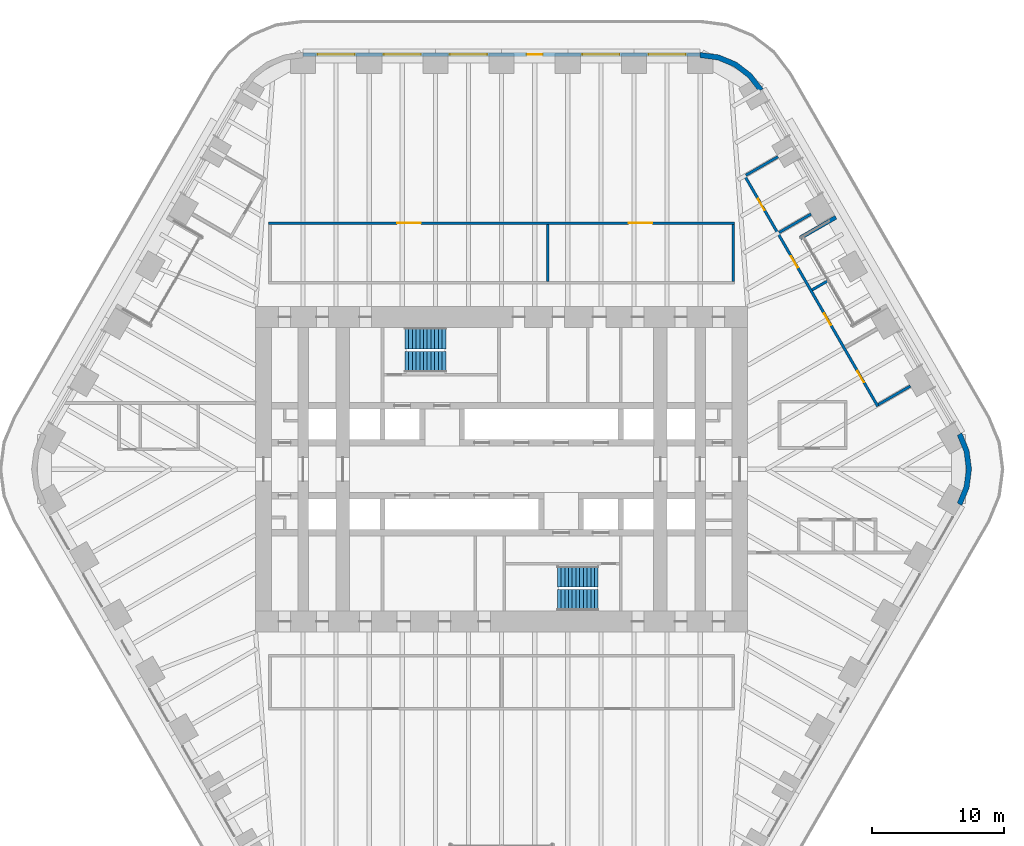
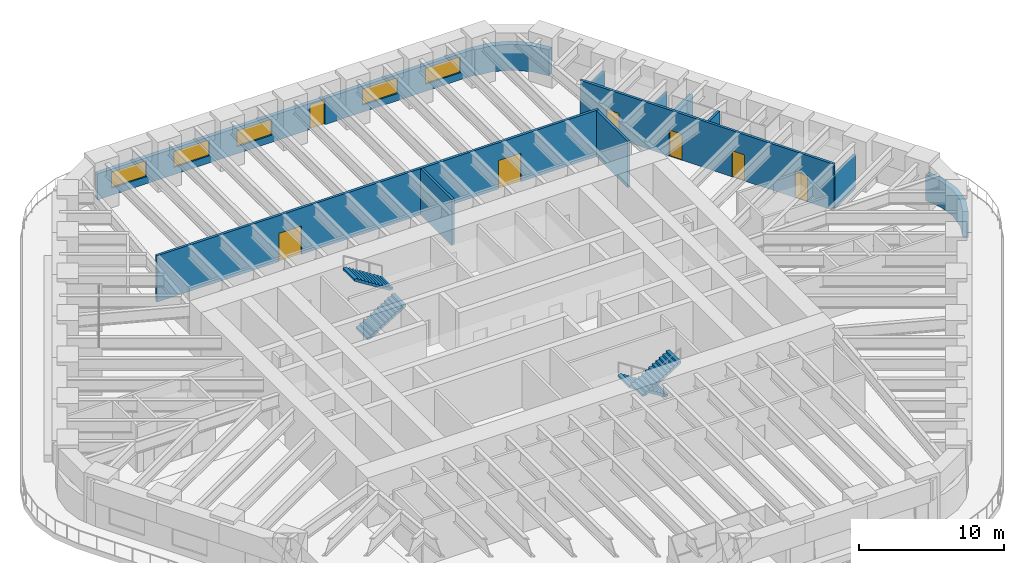
# One storey, part 16 of 19: 12 walls, 7 doors, 5 windows, 4 stair flights, 12 openings, 2 elements without a shape of their own.
"""IFC4 building model written with IfcOpenShell, lengths in metres."""

from ifc_helpers import new_model, si_unit, direction, frame, frame_2d, origin, place, context, subcontext, project, spatial, polyline, rectangle, outline, extrude, material, layer, layer_set, type_object, element, fill, aggregate, save


model = new_model("IFC4")

# Units and contexts
model_context = context("Model", 3, precision=1e-05, world=origin(), true_north=direction((0.0, 1.0)))
body_context = subcontext(model_context, "Body", "Model", "MODEL_VIEW")
ifc_project = project(units=[si_unit("LENGTHUNIT", "METRE"), si_unit("AREAUNIT", "SQUARE_METRE"), si_unit("VOLUMEUNIT", "CUBIC_METRE"), si_unit("PLANEANGLEUNIT", "RADIAN"), si_unit("MASSUNIT", "GRAM", prefix="KILO")], contexts=[model_context])

# Site, building, storey
site_placement = place(None, origin())
site = spatial("IfcSite", under=ifc_project, at=site_placement, CompositionType="ELEMENT")
building_placement = place(site_placement, origin())
building = spatial("IfcBuilding", under=site, at=building_placement, Name="Tarfa Lantern Tower", CompositionType="ELEMENT")
storey_placement = place(building_placement, frame((0.0, 0.0, 199.300048828125)))
storey = spatial("IfcBuildingStorey", under=building, at=storey_placement, Name="L45", CompositionType="ELEMENT", Elevation=199.300048828125)

# Wall
ifc_material_1 = material(Name="Limestone cladding on blockwork", Category="masonry")
ifc_layer_1 = layer(ifc_material_1, 0.300048828125)
ifc_layer_set_1 = layer_set([ifc_layer_1], Name="EW1 STONE-CLAD WALL 300")
wall_type_1 = type_object("IfcWallType", Name="EW1 STONE-CLAD WALL 300", PredefinedType="SOLIDWALL", material=ifc_layer_set_1)
wall_1_placement = place(storey_placement, frame((25.266357421875, 19.037353515625, 0.0), z_axis=(0.0, 0.0, 1.0), x_axis=(-0.86600983753, -0.500026960575, 0.0)))
element("IfcWall", 1, at=wall_1_placement, inside=storey, type_object=wall_type_1, Name="Loggia return NE 2", PredefinedType="SOLIDWALL", context=body_context, shape_type="SweptSolid", body=[
    extrude(rectangle(XDim=3.099853515625, YDim=0.300048828125, at=frame_2d((1.5498046875, 0.0))), origin(), (0.0, 0.0, 1.0), 2.199951171875),
])

# Wall, openings, door, windows
wall_2_placement = place(storey_placement, frame((15.010986328125, 31.35009765625, 0.0), z_axis=(0.0, 0.0, 1.0), x_axis=(-1.0, 0.0, 0.0)))
wall_2 = element("IfcWall", 2, at=wall_2_placement, inside=storey, type_object=wall_type_1, Name="Stone wall N", PredefinedType="SOLIDWALL", context=body_context, shape_type="SweptSolid", body=[
    extrude(rectangle(XDim=30.02197265625, YDim=0.300048828125, at=frame_2d((15.010986328125, 0.0))), origin(), (0.0, 0.0, 1.0), 2.199951171875),
])
opening_1_placement = place(wall_2_placement, frame((1.101806640625, 0.0, 0.60009765625)))
opening_1 = element("IfcOpeningElement", 3, at=opening_1_placement, cuts=wall_2, Name="Opening W10", PredefinedType="OPENING", context=body_context, shape_type="SweptSolid", body=[
    extrude(rectangle(XDim=2.800048828125, YDim=1.35009765625, at=frame_2d((1.39990234375, 0.675048828125))), frame((0.0, 0.159912109375, 0.0), z_axis=(0.0, -1.0, 0.0), x_axis=(1.0, 0.0, 0.0)), (0.0, 0.0, 1.0), 0.320068359375),
])
opening_2_placement = place(wall_2_placement, frame((6.10546875, 0.0, 0.60009765625)))
opening_2 = element("IfcOpeningElement", 4, at=opening_2_placement, cuts=wall_2, Name="Opening W10", PredefinedType="OPENING", context=body_context, shape_type="SweptSolid", body=[
    extrude(rectangle(XDim=2.800048828125, YDim=1.35009765625, at=frame_2d((1.39990234375, 0.675048828125))), frame((0.0, 0.159912109375, 0.0), z_axis=(0.0, -1.0, 0.0), x_axis=(1.0, 0.0, 0.0)), (0.0, 0.0, 1.0), 0.320068359375),
])
opening_3_placement = place(wall_2_placement, frame((11.9091796875, 0.0, 0.0)))
opening_3 = element("IfcOpeningElement", 5, at=opening_3_placement, cuts=wall_2, Name="Opening D49", PredefinedType="OPENING", context=body_context, shape_type="SweptSolid", body=[
    extrude(rectangle(XDim=1.199951171875, YDim=2.10009765625, at=frame_2d((0.60009765625, 1.050048828125))), frame((0.0, 0.159912109375, 0.0), z_axis=(0.0, -1.0, 0.0), x_axis=(1.0, 0.0, 0.0)), (0.0, 0.0, 1.0), 0.320068359375),
])
opening_4_placement = place(wall_2_placement, frame((16.113037109375, 0.0, 0.60009765625)))
opening_4 = element("IfcOpeningElement", 6, at=opening_4_placement, cuts=wall_2, Name="Opening W10", PredefinedType="OPENING", context=body_context, shape_type="SweptSolid", body=[
    extrude(rectangle(XDim=2.800048828125, YDim=1.35009765625, at=frame_2d((1.39990234375, 0.675048828125))), frame((0.0, 0.159912109375, 0.0), z_axis=(0.0, -1.0, 0.0), x_axis=(1.0, 0.0, 0.0)), (0.0, 0.0, 1.0), 0.320068359375),
])
opening_5_placement = place(wall_2_placement, frame((21.11669921875, 0.0, 0.60009765625)))
opening_5 = element("IfcOpeningElement", 7, at=opening_5_placement, cuts=wall_2, Name="Opening W10", PredefinedType="OPENING", context=body_context, shape_type="SweptSolid", body=[
    extrude(rectangle(XDim=2.800048828125, YDim=1.35009765625, at=frame_2d((1.39990234375, 0.675048828125))), frame((0.0, 0.159912109375, 0.0), z_axis=(0.0, -1.0, 0.0), x_axis=(1.0, 0.0, 0.0)), (0.0, 0.0, 1.0), 0.320068359375),
])
opening_6_placement = place(wall_2_placement, frame((26.120361328125, 0.0, 0.60009765625)))
opening_6 = element("IfcOpeningElement", 8, at=opening_6_placement, cuts=wall_2, Name="Opening W10", PredefinedType="OPENING", context=body_context, shape_type="SweptSolid", body=[
    extrude(rectangle(XDim=2.800048828125, YDim=1.35009765625, at=frame_2d((1.39990234375, 0.675048828125))), frame((0.0, 0.159912109375, 0.0), z_axis=(0.0, -1.0, 0.0), x_axis=(1.0, 0.0, 0.0)), (0.0, 0.0, 1.0), 0.320068359375),
])
ifc_material_2 = material(Name="Aluminium framed glazed door", Category="aluminium")
door_type_1 = type_object("IfcDoorType", Name="BE4 BALCONY DOOR 1200x2100", OperationType="SINGLE_SWING_RIGHT", PredefinedType="DOOR", material=ifc_material_2)
door_1_placement = place(opening_3_placement, origin())
door_1 = element("IfcDoor", 9, at=door_1_placement, inside=storey, type_object=door_type_1, Name="Balcony door N", OperationType="SINGLE_SWING_RIGHT", OverallHeight=2.10009765625, OverallWidth=1.199951171875, PredefinedType="DOOR", context=body_context, shape_type="SweptSolid", body=[
    extrude(rectangle(XDim=1.199951171875, YDim=2.10009765625, at=frame_2d((0.60009765625, 1.050048828125))), frame((0.0, 0.02490234375, 0.0), z_axis=(0.0, -1.0, 0.0), x_axis=(1.0, 0.0, 0.0)), (0.0, 0.0, 1.0), 0.050048828125),
])
fill(opening_3, door_1)
ifc_material_3 = material(Name="Aluminium frame, double glazed", Category="aluminium")
window_type = type_object("IfcWindowType", Name="W10 FULL-HEIGHT GLAZING 2800x1350", PartitioningType="SINGLE_PANEL", PredefinedType="WINDOW", material=ifc_material_3)
window_1_placement = place(opening_1_placement, origin())
window_1 = element("IfcWindow", 10, at=window_1_placement, inside=storey, type_object=window_type, Name="Window N 1", OverallHeight=1.35009765625, OverallWidth=2.800048828125, PartitioningType="SINGLE_PANEL", PredefinedType="WINDOW", context=body_context, shape_type="SweptSolid", body=[
    extrude(rectangle(XDim=2.800048828125, YDim=1.35009765625, at=frame_2d((1.39990234375, 0.675048828125))), frame((0.0, 0.030029296875, 0.0), z_axis=(0.0, -1.0, 0.0), x_axis=(1.0, 0.0, 0.0)), (0.0, 0.0, 1.0), 0.06005859375),
])
fill(opening_1, window_1)
window_2_placement = place(opening_2_placement, origin())
window_2 = element("IfcWindow", 11, at=window_2_placement, inside=storey, type_object=window_type, Name="Window N 2", OverallHeight=1.35009765625, OverallWidth=2.800048828125, PartitioningType="SINGLE_PANEL", PredefinedType="WINDOW", context=body_context, shape_type="SweptSolid", body=[
    extrude(rectangle(XDim=2.800048828125, YDim=1.35009765625, at=frame_2d((1.39990234375, 0.675048828125))), frame((0.0, 0.030029296875, 0.0), z_axis=(0.0, -1.0, 0.0), x_axis=(1.0, 0.0, 0.0)), (0.0, 0.0, 1.0), 0.06005859375),
])
fill(opening_2, window_2)
window_3_placement = place(opening_4_placement, origin())
window_3 = element("IfcWindow", 12, at=window_3_placement, inside=storey, type_object=window_type, Name="Window N 4", OverallHeight=1.35009765625, OverallWidth=2.800048828125, PartitioningType="SINGLE_PANEL", PredefinedType="WINDOW", context=body_context, shape_type="SweptSolid", body=[
    extrude(rectangle(XDim=2.800048828125, YDim=1.35009765625, at=frame_2d((1.39990234375, 0.675048828125))), frame((0.0, 0.030029296875, 0.0), z_axis=(0.0, -1.0, 0.0), x_axis=(1.0, 0.0, 0.0)), (0.0, 0.0, 1.0), 0.06005859375),
])
fill(opening_4, window_3)
window_4_placement = place(opening_5_placement, origin())
window_4 = element("IfcWindow", 13, at=window_4_placement, inside=storey, type_object=window_type, Name="Window N 5", OverallHeight=1.35009765625, OverallWidth=2.800048828125, PartitioningType="SINGLE_PANEL", PredefinedType="WINDOW", context=body_context, shape_type="SweptSolid", body=[
    extrude(rectangle(XDim=2.800048828125, YDim=1.35009765625, at=frame_2d((1.39990234375, 0.675048828125))), frame((0.0, 0.030029296875, 0.0), z_axis=(0.0, -1.0, 0.0), x_axis=(1.0, 0.0, 0.0)), (0.0, 0.0, 1.0), 0.06005859375),
])
fill(opening_5, window_4)
window_5_placement = place(opening_6_placement, origin())
window_5 = element("IfcWindow", 14, at=window_5_placement, inside=storey, type_object=window_type, Name="Window N 6", OverallHeight=1.35009765625, OverallWidth=2.800048828125, PartitioningType="SINGLE_PANEL", PredefinedType="WINDOW", context=body_context, shape_type="SweptSolid", body=[
    extrude(rectangle(XDim=2.800048828125, YDim=1.35009765625, at=frame_2d((1.39990234375, 0.675048828125))), frame((0.0, 0.030029296875, 0.0), z_axis=(0.0, -1.0, 0.0), x_axis=(1.0, 0.0, 0.0)), (0.0, 0.0, 1.0), 0.06005859375),
])
fill(opening_6, window_5)

# Walls
ifc_layer_2 = layer(ifc_material_1, 0.39990234375)
ifc_layer_set_2 = layer_set([ifc_layer_2], Name="EW2 CURVED STONE CORNER 400")
wall_type_2 = type_object("IfcWallType", Name="EW2 CURVED STONE CORNER 400", PredefinedType="SOLIDWALL", material=ifc_layer_set_2)
wall_3_placement = place(storey_placement, origin())
element("IfcWall", 15, at=wall_3_placement, inside=storey, type_object=wall_type_2, Name="Stone corner NE-N", PredefinedType="SOLIDWALL", context=body_context, shape_type="SweptSolid", body=[
    extrude(outline(polyline([(19.774169921875, 28.75), (18.900146484375, 29.88916015625), (17.760986328125, 30.76318359375), (16.4345703125, 31.3125), (15.010986328125, 31.5), (15.010986328125, 31.10009765625), (16.3310546875, 30.92626953125), (17.56103515625, 30.416748046875), (18.617431640625, 29.606201171875), (19.427734375, 28.550048828125), (19.774169921875, 28.75)])), origin(), (0.0, 0.0, 1.0), 2.199951171875),
])
wall_4_placement = place(storey_placement, origin())
element("IfcWall", 16, at=wall_4_placement, inside=storey, type_object=wall_type_2, Name="Stone corner SE-NE", PredefinedType="SOLIDWALL", context=body_context, shape_type="SweptSolid", body=[
    extrude(outline(polyline([(34.785400390625, -2.75), (35.334716796875, -1.423583984375), (35.522216796875, 0.0), (35.334716796875, 1.423583984375), (34.785400390625, 2.75), (34.43896484375, 2.550048828125), (34.948486328125, 1.320068359375), (35.122314453125, 0.0), (34.948486328125, -1.320068359375), (34.43896484375, -2.550048828125), (34.785400390625, -2.75)])), origin(), (0.0, 0.0, 1.0), 2.199951171875),
])

# Wall, openings, doors
ifc_material_4 = material(Name="Gypsum board on steel studs", Category="steel")
ifc_layer_3 = layer(ifc_material_4, 0.2099609375)
ifc_layer_set_3 = layer_set([ifc_layer_3], Name="IW2 ACOUSTIC PARTITION 200")
wall_type_3 = type_object("IfcWallType", Name="IW2 ACOUSTIC PARTITION 200", PredefinedType="PARTITIONING", material=ifc_layer_set_3)
wall_5_placement = place(storey_placement, frame((-17.60009765625, 18.60009765625, 0.0), z_axis=(0.0, 0.0, 1.0), x_axis=(1.0, 0.0, 0.0)))
wall_5 = element("IfcWall", 17, at=wall_5_placement, inside=storey, type_object=wall_type_3, Name="Partition", PredefinedType="PARTITIONING", context=body_context, shape_type="SweptSolid", body=[
    extrude(rectangle(XDim=35.2001953125, YDim=0.199951171875, at=frame_2d((17.60009765625, 0.0))), origin(), (0.0, 0.0, 1.0), 3.89990234375),
])
opening_7_placement = place(wall_5_placement, frame((9.699951171875, 0.0, 0.0)))
opening_7 = element("IfcOpeningElement", 18, at=opening_7_placement, cuts=wall_5, Name="Opening D39", PredefinedType="OPENING", context=body_context, shape_type="SweptSolid", body=[
    extrude(rectangle(XDim=1.800048828125, YDim=2.39990234375, at=frame_2d((0.89990234375, 1.199951171875))), frame((0.0, 0.10986328125, 0.0), z_axis=(0.0, -1.0, 0.0), x_axis=(1.0, 0.0, 0.0)), (0.0, 0.0, 1.0), 0.219970703125),
])
opening_8_placement = place(wall_5_placement, frame((27.199951171875, 0.0, 0.0)))
opening_8 = element("IfcOpeningElement", 19, at=opening_8_placement, cuts=wall_5, Name="Opening D40", PredefinedType="OPENING", context=body_context, shape_type="SweptSolid", body=[
    extrude(rectangle(XDim=1.800048828125, YDim=2.39990234375, at=frame_2d((0.89990234375, 1.199951171875))), frame((0.0, 0.10986328125, 0.0), z_axis=(0.0, -1.0, 0.0), x_axis=(1.0, 0.0, 0.0)), (0.0, 0.0, 1.0), 0.219970703125),
])
ifc_material_5 = material(Name="Timber door", Category="wood")
door_type_2 = type_object("IfcDoorType", Name="DR2 ROOM DOOR 1800x2400", OperationType="DOUBLE_DOOR_SINGLE_SWING", PredefinedType="DOOR", material=ifc_material_5)
door_2_placement = place(opening_7_placement, frame((1.800048828125, 0.0, 0.0), z_axis=(0.0, 0.0, 1.0), x_axis=(-1.0, 0.0, 0.0)))
door_2 = element("IfcDoor", 20, at=door_2_placement, inside=storey, type_object=door_type_2, Name="Materials lab door", OperationType="DOUBLE_DOOR_SINGLE_SWING", OverallHeight=2.39990234375, OverallWidth=1.800048828125, PredefinedType="DOOR", context=body_context, shape_type="SweptSolid", body=[
    extrude(rectangle(XDim=1.800048828125, YDim=2.39990234375, at=frame_2d((0.89990234375, 1.199951171875))), frame((0.0, 0.02490234375, 0.0), z_axis=(0.0, -1.0, 0.0), x_axis=(1.0, 0.0, 0.0)), (0.0, 0.0, 1.0), 0.050048828125),
])
fill(opening_7, door_2)
door_3_placement = place(opening_8_placement, frame((1.800048828125, 0.0, 0.0), z_axis=(0.0, 0.0, 1.0), x_axis=(-1.0, 0.0, 0.0)))
door_3 = element("IfcDoor", 21, at=door_3_placement, inside=storey, type_object=door_type_2, Name="Lab store door", OperationType="DOUBLE_DOOR_SINGLE_SWING", OverallHeight=2.39990234375, OverallWidth=1.800048828125, PredefinedType="DOOR", context=body_context, shape_type="SweptSolid", body=[
    extrude(rectangle(XDim=1.800048828125, YDim=2.39990234375, at=frame_2d((0.89990234375, 1.199951171875))), frame((0.0, 0.02490234375, 0.0), z_axis=(0.0, -1.0, 0.0), x_axis=(1.0, 0.0, 0.0)), (0.0, 0.0, 1.0), 0.050048828125),
])
fill(opening_8, door_3)

# Walls
for number, where, z_axis, x_axis, name in (
    (22, (3.5, 14.199951171875, 0.0), (0.0, 0.0, 1.0), (0.0, 1.0, 0.0), "Partition"),
    (23, (17.5, 14.199951171875, 0.0), (0.0, 0.0, 1.0), (0.0, 1.0, 0.0), "Partition"),
):
    element("IfcWall", number, at=place(storey_placement, frame(where, z_axis=z_axis, x_axis=x_axis)), inside=storey, type_object=wall_type_3, Name=name, PredefinedType="PARTITIONING", context=body_context, shape_type="SweptSolid", body=[
        extrude(rectangle(XDim=4.300048828125, YDim=0.199951171875, at=frame_2d((2.14990234375, 0.0))), origin(), (0.0, 0.0, 1.0), 3.89990234375),
    ])

# Wall, openings, doors
wall_6_placement = place(storey_placement, frame((28.436279296875, 4.746826171875, 0.0), z_axis=(0.0, 0.0, 1.0), x_axis=(-0.499995666571, 0.866027905677, 0.0)))
wall_6 = element("IfcWall", 24, at=wall_6_placement, inside=storey, type_object=wall_type_3, Name="Partition", PredefinedType="PARTITIONING", context=body_context, shape_type="SweptSolid", body=[
    extrude(rectangle(XDim=20.214599609375, YDim=0.199951171875, at=frame_2d((10.107421875, 0.0))), origin(), (0.0, 0.0, 1.0), 3.89990234375),
])
opening_9_placement = place(wall_6_placement, frame((2.101806640625, 0.0, 0.0)))
opening_9 = element("IfcOpeningElement", 25, at=opening_9_placement, cuts=wall_6, Name="Opening D34", PredefinedType="OPENING", context=body_context, shape_type="SweptSolid", body=[
    extrude(rectangle(XDim=1.0, YDim=2.199951171875, at=frame_2d((0.5, 1.10009765625))), frame((0.0, 0.10986328125, 0.0), z_axis=(0.0, -1.0, 0.0), x_axis=(1.0, 0.0, 0.0)), (0.0, 0.0, 1.0), 0.219970703125),
])
opening_10_placement = place(wall_6_placement, frame((7.10546875, 0.0, 0.0)))
opening_10 = element("IfcOpeningElement", 26, at=opening_10_placement, cuts=wall_6, Name="Opening D35", PredefinedType="OPENING", context=body_context, shape_type="SweptSolid", body=[
    extrude(rectangle(XDim=1.0, YDim=2.199951171875, at=frame_2d((0.5, 1.10009765625))), frame((0.0, 0.10986328125, 0.0), z_axis=(0.0, -1.0, 0.0), x_axis=(1.0, 0.0, 0.0)), (0.0, 0.0, 1.0), 0.219970703125),
])
opening_11_placement = place(wall_6_placement, frame((12.109375, 0.0, 0.0)))
opening_11 = element("IfcOpeningElement", 27, at=opening_11_placement, cuts=wall_6, Name="Opening D36", PredefinedType="OPENING", context=body_context, shape_type="SweptSolid", body=[
    extrude(rectangle(XDim=1.0, YDim=2.199951171875, at=frame_2d((0.5, 1.10009765625))), frame((0.0, 0.10986328125, 0.0), z_axis=(0.0, -1.0, 0.0), x_axis=(1.0, 0.0, 0.0)), (0.0, 0.0, 1.0), 0.219970703125),
])
opening_12_placement = place(wall_6_placement, frame((17.113037109375, 0.0, 0.0)))
opening_12 = element("IfcOpeningElement", 28, at=opening_12_placement, cuts=wall_6, Name="Opening D37", PredefinedType="OPENING", context=body_context, shape_type="SweptSolid", body=[
    extrude(rectangle(XDim=1.0, YDim=2.199951171875, at=frame_2d((0.5, 1.10009765625))), frame((0.0, 0.10986328125, 0.0), z_axis=(0.0, -1.0, 0.0), x_axis=(1.0, 0.0, 0.0)), (0.0, 0.0, 1.0), 0.219970703125),
])
door_type_3 = type_object("IfcDoorType", Name="DR1 ROOM DOOR 1000x2200", OperationType="SINGLE_SWING_LEFT", PredefinedType="DOOR", material=ifc_material_5)
door_4_placement = place(opening_9_placement, frame((1.0, 0.0, 0.0), z_axis=(0.0, 0.0, 1.0), x_axis=(-1.0, 0.0, 0.0)))
door_4 = element("IfcDoor", 29, at=door_4_placement, inside=storey, type_object=door_type_3, Name="Office door", OperationType="SINGLE_SWING_LEFT", OverallHeight=2.199951171875, OverallWidth=1.0, PredefinedType="DOOR", context=body_context, shape_type="SweptSolid", body=[
    extrude(rectangle(XDim=1.0, YDim=2.199951171875, at=frame_2d((0.5, 1.10009765625))), frame((0.0, 0.02490234375, 0.0), z_axis=(0.0, -1.0, 0.0), x_axis=(1.0, 0.0, 0.0)), (0.0, 0.0, 1.0), 0.050048828125),
])
fill(opening_9, door_4)
door_5_placement = place(opening_10_placement, frame((1.0, 0.0, 0.0), z_axis=(0.0, 0.0, 1.0), x_axis=(-1.0, 0.0, 0.0)))
door_5 = element("IfcDoor", 30, at=door_5_placement, inside=storey, type_object=door_type_3, Name="Office door", OperationType="SINGLE_SWING_LEFT", OverallHeight=2.199951171875, OverallWidth=1.0, PredefinedType="DOOR", context=body_context, shape_type="SweptSolid", body=[
    extrude(rectangle(XDim=1.0, YDim=2.199951171875, at=frame_2d((0.5, 1.10009765625))), frame((0.0, 0.02490234375, 0.0), z_axis=(0.0, -1.0, 0.0), x_axis=(1.0, 0.0, 0.0)), (0.0, 0.0, 1.0), 0.050048828125),
])
fill(opening_10, door_5)
door_6_placement = place(opening_11_placement, frame((1.0, 0.0, 0.0), z_axis=(0.0, 0.0, 1.0), x_axis=(-1.0, 0.0, 0.0)))
door_6 = element("IfcDoor", 31, at=door_6_placement, inside=storey, type_object=door_type_3, Name="Office door", OperationType="SINGLE_SWING_RIGHT", OverallHeight=2.199951171875, OverallWidth=1.0, PredefinedType="DOOR", context=body_context, shape_type="SweptSolid", body=[
    extrude(rectangle(XDim=1.0, YDim=2.199951171875, at=frame_2d((0.5, 1.10009765625))), frame((0.0, 0.02490234375, 0.0), z_axis=(0.0, -1.0, 0.0), x_axis=(1.0, 0.0, 0.0)), (0.0, 0.0, 1.0), 0.050048828125),
])
fill(opening_11, door_6)
door_7_placement = place(opening_12_placement, frame((1.0, 0.0, 0.0), z_axis=(0.0, 0.0, 1.0), x_axis=(-1.0, 0.0, 0.0)))
door_7 = element("IfcDoor", 32, at=door_7_placement, inside=storey, type_object=door_type_3, Name="Office door", OperationType="SINGLE_SWING_RIGHT", OverallHeight=2.199951171875, OverallWidth=1.0, PredefinedType="DOOR", context=body_context, shape_type="SweptSolid", body=[
    extrude(rectangle(XDim=1.0, YDim=2.199951171875, at=frame_2d((0.5, 1.10009765625))), frame((0.0, 0.02490234375, 0.0), z_axis=(0.0, -1.0, 0.0), x_axis=(1.0, 0.0, 0.0)), (0.0, 0.0, 1.0), 0.050048828125),
])
fill(opening_12, door_7)

# Walls
wall_7_placement = place(storey_placement, frame((28.472900390625, 4.88330078125, 0.0), z_axis=(0.0, 0.0, 1.0), x_axis=(0.866018616679, 0.500011755427, 0.0)))
element("IfcWall", 33, at=wall_7_placement, inside=storey, type_object=wall_type_3, Name="Partition", PredefinedType="PARTITIONING", context=body_context, shape_type="SweptSolid", body=[
    extrude(rectangle(XDim=2.80029296875, YDim=0.199951171875, at=frame_2d((1.400146484375, 0.0))), origin(), (0.0, 0.0, 1.0), 2.891845703125),
])
wall_8_placement = place(storey_placement, frame((23.46923828125, 13.550048828125, 0.0), z_axis=(0.0, 0.0, 1.0), x_axis=(0.866057911062, 0.499943691516, 0.0)))
element("IfcWall", 34, at=wall_8_placement, inside=storey, type_object=wall_type_3, Name="Partition", PredefinedType="PARTITIONING", context=body_context, shape_type="SweptSolid", body=[
    extrude(rectangle(XDim=1.401123046875, YDim=0.199951171875, at=frame_2d((0.70068359375, 0.0))), origin(), (0.0, 0.0, 1.0), 3.89990234375),
])
for number, where, z_axis, x_axis, name in (
    (35, (20.967529296875, 17.88330078125, 0.0), (0.0, 0.0, 1.0), (0.865996816683, 0.500049511043, 0.0), "Partition"),
    (36, (18.465576171875, 22.216552734375, 0.0), (0.0, 0.0, 1.0), (0.865996816683, 0.500049511043, 0.0), "Partition"),
):
    element("IfcWall", number, at=place(storey_placement, frame(where, z_axis=z_axis, x_axis=x_axis)), inside=storey, type_object=wall_type_3, Name=name, PredefinedType="PARTITIONING", context=body_context, shape_type="SweptSolid", body=[
        extrude(rectangle(XDim=2.800048828125, YDim=0.199951171875, at=frame_2d((1.39990234375, 0.0))), origin(), (0.0, 0.0, 1.0), 2.891845703125),
    ])

# Stair, stair flights
ifc_material_6 = material(Name="Concrete C40/50", Category="concrete")
stair_type = type_object("IfcStairType", Name="ST-T10 HALF-TURN STAIR 4200 RISE", PredefinedType="HALF_TURN_STAIR", material=ifc_material_6)
stair_1_placement = place(storey_placement, origin())
stair_1 = element("IfcStair", 37, at=stair_1_placement, inside=storey, type_object=stair_type, Name="Stair ST1", PredefinedType="HALF_TURN_STAIR")
stair_flight_type = type_object("IfcStairFlightType", Name="SF1 STAIR FLIGHT", PredefinedType="STRAIGHT", material=ifc_material_6)
stair_flight_1_placement = place(storey_placement, frame((-7.300048828125, 8.10009765625, 0.0), z_axis=(0.0, 0.0, 1.0), x_axis=(1.0, 0.0, 0.0)))
stair_flight_1 = element("IfcStairFlight", 38, at=stair_flight_1_placement, type_object=stair_flight_type, Name="ST1 flight 1", NumberOfRisers=12, NumberOfTreads=11, PredefinedType="STRAIGHT", RiserHeight=0.175, TreadLength=0.28, context=body_context, shape_type="SweptSolid", body=[
    extrude(outline(polyline([(0.0, 0.0), (0.0, 0.175048828125), (0.280029296875, 0.175048828125), (0.280029296875, 0.35009765625), (0.56005859375, 0.35009765625), (0.56005859375, 0.52490234375), (0.840087890625, 0.52490234375), (0.840087890625, 0.699951171875), (1.1201171875, 0.699951171875), (1.1201171875, 0.875), (1.39990234375, 0.875), (1.39990234375, 1.050048828125), (1.679931640625, 1.050048828125), (1.679931640625, 1.22509765625), (1.9599609375, 1.22509765625), (1.9599609375, 1.39990234375), (2.239990234375, 1.39990234375), (2.239990234375, 1.574951171875), (2.52001953125, 1.574951171875), (2.52001953125, 1.75), (2.800048828125, 1.75), (2.800048828125, 1.925048828125), (3.080078125, 1.925048828125), (3.080078125, 2.10009765625), (3.080078125, 1.748291015625), (0.28271484375, 0.0), (0.0, 0.0)])), frame((0.0, 0.800048828125, 0.0), z_axis=(0.0, -1.0, 0.0), x_axis=(1.0, 0.0, 0.0)), (0.0, 0.0, 1.0), 1.60009765625),
])
stair_flight_2_placement = place(storey_placement, frame((-4.219970703125, 9.89990234375, 2.099853515625), z_axis=(0.0, 0.0, 1.0), x_axis=(-1.0, 0.0, 0.0)))
stair_flight_2 = element("IfcStairFlight", 39, at=stair_flight_2_placement, type_object=stair_flight_type, Name="ST1 flight 2", NumberOfRisers=12, NumberOfTreads=11, PredefinedType="STRAIGHT", RiserHeight=0.175, TreadLength=0.28, context=body_context, shape_type="SweptSolid", body=[
    extrude(outline(polyline([(0.0, 0.0), (0.0, 0.175048828125), (0.280029296875, 0.175048828125), (0.280029296875, 0.35009765625), (0.56005859375, 0.35009765625), (0.56005859375, 0.52490234375), (0.840087890625, 0.52490234375), (0.840087890625, 0.699951171875), (1.1201171875, 0.699951171875), (1.1201171875, 0.875), (1.39990234375, 0.875), (1.39990234375, 1.050048828125), (1.679931640625, 1.050048828125), (1.679931640625, 1.22509765625), (1.9599609375, 1.22509765625), (1.9599609375, 1.39990234375), (2.239990234375, 1.39990234375), (2.239990234375, 1.574951171875), (2.52001953125, 1.574951171875), (2.52001953125, 1.75), (2.800048828125, 1.75), (2.800048828125, 1.925048828125), (3.080078125, 1.925048828125), (3.080078125, 2.10009765625), (3.080078125, 1.748291015625), (0.28271484375, 0.0), (0.0, 0.0)])), frame((0.0, 0.800048828125, 0.0), z_axis=(0.0, -1.0, 0.0), x_axis=(1.0, 0.0, 0.0)), (0.0, 0.0, 1.0), 1.60009765625),
])
aggregate(stair_1, [stair_flight_1, stair_flight_2])

stair_2_placement = place(storey_placement, origin())
stair_2 = element("IfcStair", 40, at=stair_2_placement, inside=storey, type_object=stair_type, Name="Stair ST2", PredefinedType="HALF_TURN_STAIR")
stair_flight_3_placement = place(storey_placement, frame((7.300048828125, -8.10009765625, 0.0), z_axis=(0.0, 0.0, 1.0), x_axis=(-1.0, 0.0, 0.0)))
stair_flight_3 = element("IfcStairFlight", 41, at=stair_flight_3_placement, type_object=stair_flight_type, Name="ST2 flight 1", NumberOfRisers=12, NumberOfTreads=11, PredefinedType="STRAIGHT", RiserHeight=0.175, TreadLength=0.28, context=body_context, shape_type="SweptSolid", body=[
    extrude(outline(polyline([(0.0, 0.0), (0.0, 0.175048828125), (0.280029296875, 0.175048828125), (0.280029296875, 0.35009765625), (0.56005859375, 0.35009765625), (0.56005859375, 0.52490234375), (0.840087890625, 0.52490234375), (0.840087890625, 0.699951171875), (1.1201171875, 0.699951171875), (1.1201171875, 0.875), (1.39990234375, 0.875), (1.39990234375, 1.050048828125), (1.679931640625, 1.050048828125), (1.679931640625, 1.22509765625), (1.9599609375, 1.22509765625), (1.9599609375, 1.39990234375), (2.239990234375, 1.39990234375), (2.239990234375, 1.574951171875), (2.52001953125, 1.574951171875), (2.52001953125, 1.75), (2.800048828125, 1.75), (2.800048828125, 1.925048828125), (3.080078125, 1.925048828125), (3.080078125, 2.10009765625), (3.080078125, 1.748291015625), (0.28271484375, 0.0), (0.0, 0.0)])), frame((0.0, 0.800048828125, 0.0), z_axis=(0.0, -1.0, 0.0), x_axis=(1.0, 0.0, 0.0)), (0.0, 0.0, 1.0), 1.60009765625),
])
stair_flight_4_placement = place(storey_placement, frame((4.219970703125, -9.89990234375, 2.099853515625), z_axis=(0.0, 0.0, 1.0), x_axis=(1.0, 0.0, 0.0)))
stair_flight_4 = element("IfcStairFlight", 42, at=stair_flight_4_placement, type_object=stair_flight_type, Name="ST2 flight 2", NumberOfRisers=12, NumberOfTreads=11, PredefinedType="STRAIGHT", RiserHeight=0.175, TreadLength=0.28, context=body_context, shape_type="SweptSolid", body=[
    extrude(outline(polyline([(0.0, 0.0), (0.0, 0.175048828125), (0.280029296875, 0.175048828125), (0.280029296875, 0.35009765625), (0.56005859375, 0.35009765625), (0.56005859375, 0.52490234375), (0.840087890625, 0.52490234375), (0.840087890625, 0.699951171875), (1.1201171875, 0.699951171875), (1.1201171875, 0.875), (1.39990234375, 0.875), (1.39990234375, 1.050048828125), (1.679931640625, 1.050048828125), (1.679931640625, 1.22509765625), (1.9599609375, 1.22509765625), (1.9599609375, 1.39990234375), (2.239990234375, 1.39990234375), (2.239990234375, 1.574951171875), (2.52001953125, 1.574951171875), (2.52001953125, 1.75), (2.800048828125, 1.75), (2.800048828125, 1.925048828125), (3.080078125, 1.925048828125), (3.080078125, 2.10009765625), (3.080078125, 1.748291015625), (0.28271484375, 0.0), (0.0, 0.0)])), frame((0.0, 0.800048828125, 0.0), z_axis=(0.0, -1.0, 0.0), x_axis=(1.0, 0.0, 0.0)), (0.0, 0.0, 1.0), 1.60009765625),
])
aggregate(stair_2, [stair_flight_3, stair_flight_4])

save(model, "model.ifc")
